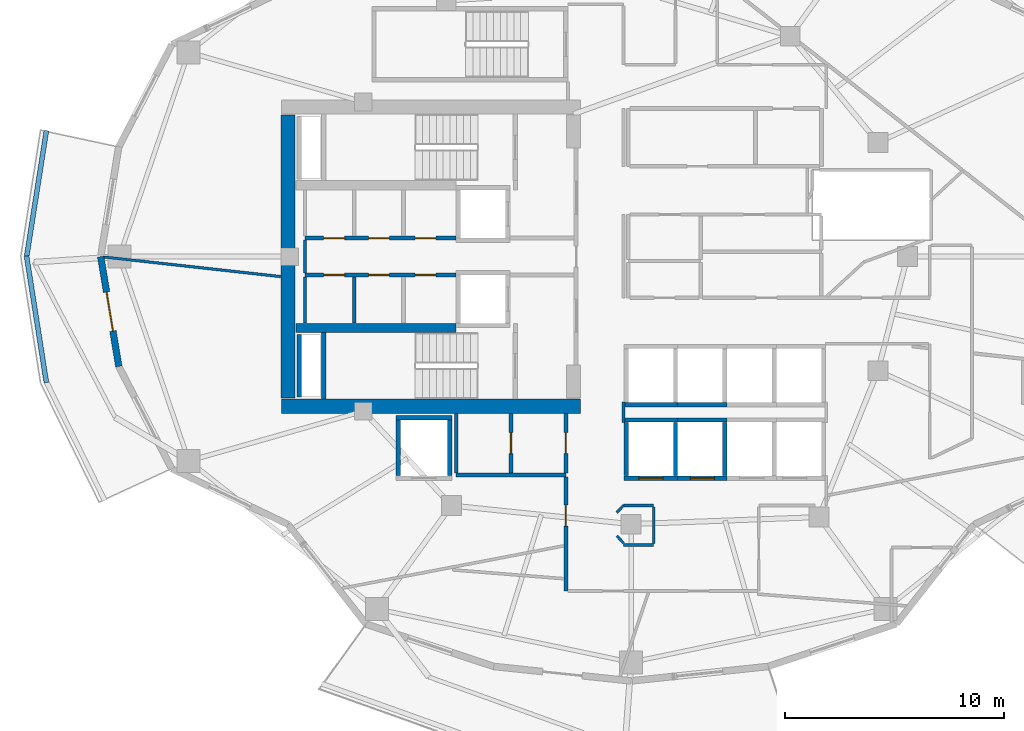
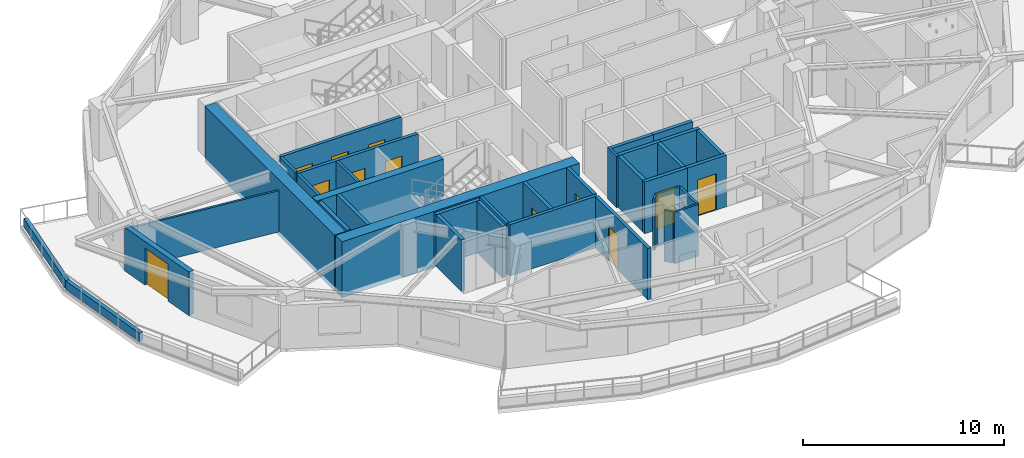
# One storey, part 3 of 14: 37 walls, 12 doors, 12 openings.
"""IFC4 building model written with IfcOpenShell, lengths in metres."""

from ifc_helpers import new_model, si_unit, direction, frame, frame_2d, origin, place, context, subcontext, project, spatial, rectangle, extrude, material, layer, layer_set, type_object, element, fill, save


model = new_model("IFC4")

# Units and contexts
model_context = context("Model", 3, precision=1e-05, world=origin(), true_north=direction((0.0, 1.0)))
body_context = subcontext(model_context, "Body", "Model", "MODEL_VIEW")
ifc_project = project(units=[si_unit("LENGTHUNIT", "METRE"), si_unit("AREAUNIT", "SQUARE_METRE"), si_unit("VOLUMEUNIT", "CUBIC_METRE"), si_unit("PLANEANGLEUNIT", "RADIAN"), si_unit("MASSUNIT", "GRAM", prefix="KILO")], contexts=[model_context])

# Site, building, storey
site_placement = place(None, origin())
site = spatial("IfcSite", under=ifc_project, at=site_placement, CompositionType="ELEMENT")
building_placement = place(site_placement, origin())
building = spatial("IfcBuilding", under=site, at=building_placement, Name="Kolvaren Gate Tower and Convention Centre", CompositionType="ELEMENT")
storey_placement = place(building_placement, frame((0.0, 0.0, 112.10009765625)))
storey = spatial("IfcBuildingStorey", under=building, at=storey_placement, Name="L27", CompositionType="ELEMENT", Elevation=112.10009765625)

# Wall, openings, doors
ifc_material_1 = material(Name="Autoclaved Aerated Masonry Blockwork Class 4 (4.0 MPa)", Category="masonry")
ifc_layer_1 = layer(ifc_material_1, 0.179931640625)
ifc_layer_set_1 = layer_set([ifc_layer_1], Name="Autoclaved Aerated Masonry Blockwork Class 4 (4.0 MPa)")
wall_type_1 = type_object("IfcWallType", Name="ARCH-WL-COMP-180", PredefinedType="SOLIDWALL", material=ifc_layer_set_1)
wall_1_placement = place(storey_placement, frame((15.25, 27.840087890625, 0.0), z_axis=(0.0, 0.0, 1.0), x_axis=(1.0, 0.0, 0.0)))
wall_1 = element("IfcWall", 1, at=wall_1_placement, inside=storey, type_object=wall_type_1, Name="Interior Partition WL-L27-INT-004", PredefinedType="SOLIDWALL", context=body_context, shape_type="SweptSolid", body=[
    extrude(rectangle(XDim=6.89990234375, YDim=0.179931640625, at=frame_2d((3.449951171875, 0.0))), origin(), (0.0, 0.0, 1.0), 3.1298828125),
])
opening_1_placement = place(wall_1_placement, frame((5.02001953125, 0.0, 0.0)))
opening_1 = element("IfcOpeningElement", 2, at=opening_1_placement, cuts=wall_1, Name="Opening DR-01", PredefinedType="OPENING", context=body_context, shape_type="SweptSolid", body=[
    extrude(rectangle(XDim=0.949951171875, YDim=2.10009765625, at=frame_2d((0.47509765625, 1.050048828125))), frame((0.0, 0.099853515625, 0.0), z_axis=(0.0, -1.0, 0.0), x_axis=(1.0, 0.0, 0.0)), (0.0, 0.0, 1.0), 0.199951171875),
])
opening_2_placement = place(wall_1_placement, frame((0.85498046875, 0.0, 0.0)))
opening_2 = element("IfcOpeningElement", 3, at=opening_2_placement, cuts=wall_1, Name="Opening DR-01", PredefinedType="OPENING", context=body_context, shape_type="SweptSolid", body=[
    extrude(rectangle(XDim=0.949951171875, YDim=2.10009765625, at=frame_2d((0.47509765625, 1.050048828125))), frame((0.0, 0.099853515625, 0.0), z_axis=(0.0, -1.0, 0.0), x_axis=(1.0, 0.0, 0.0)), (0.0, 0.0, 1.0), 0.199951171875),
])
opening_3_placement = place(wall_1_placement, frame((2.89990234375, 0.0, 0.0)))
opening_3 = element("IfcOpeningElement", 4, at=opening_3_placement, cuts=wall_1, Name="Opening DR-01", PredefinedType="OPENING", context=body_context, shape_type="SweptSolid", body=[
    extrude(rectangle(XDim=0.949951171875, YDim=2.10009765625, at=frame_2d((0.47509765625, 1.050048828125))), frame((0.0, 0.099853515625, 0.0), z_axis=(0.0, -1.0, 0.0), x_axis=(1.0, 0.0, 0.0)), (0.0, 0.0, 1.0), 0.199951171875),
])
ifc_material_2 = material(Name="Painted Architectural Steelwork ASTM A500 Grade C 345 MPa", Category="steel")
door_type_1 = type_object("IfcDoorType", Name="ARCH-DR-RISER-950", OperationType="SINGLE_SWING_RIGHT", PredefinedType="DOOR", material=ifc_material_2)
door_1_placement = place(opening_1_placement, origin())
door_1 = element("IfcDoor", 5, at=door_1_placement, inside=storey, type_object=door_type_1, Name="Electrical Switchgear Closet Door", OperationType="SINGLE_SWING_RIGHT", OverallHeight=2.10009765625, OverallWidth=0.949951171875, PredefinedType="DOOR", context=body_context, shape_type="SweptSolid", body=[
    extrude(rectangle(XDim=0.949951171875, YDim=2.10009765625, at=frame_2d((0.47509765625, 1.050048828125))), frame((0.0, 0.02490234375, 0.0), z_axis=(0.0, -1.0, 0.0), x_axis=(1.0, 0.0, 0.0)), (0.0, 0.0, 1.0), 0.050048828125),
])
fill(opening_1, door_1)
door_2_placement = place(opening_2_placement, origin())
door_2 = element("IfcDoor", 6, at=door_2_placement, inside=storey, type_object=door_type_1, Name="Staff Accessible WC Door", OperationType="SINGLE_SWING_RIGHT", OverallHeight=2.10009765625, OverallWidth=0.949951171875, PredefinedType="DOOR", context=body_context, shape_type="SweptSolid", body=[
    extrude(rectangle(XDim=0.949951171875, YDim=2.10009765625, at=frame_2d((0.47509765625, 1.050048828125))), frame((0.0, 0.02490234375, 0.0), z_axis=(0.0, -1.0, 0.0), x_axis=(1.0, 0.0, 0.0)), (0.0, 0.0, 1.0), 0.050048828125),
])
fill(opening_2, door_2)
door_3_placement = place(opening_3_placement, origin())
door_3 = element("IfcDoor", 7, at=door_3_placement, inside=storey, type_object=door_type_1, Name="Housekeeping Sink Closet Door", OperationType="SINGLE_SWING_LEFT", OverallHeight=2.10009765625, OverallWidth=0.949951171875, PredefinedType="DOOR", context=body_context, shape_type="SweptSolid", body=[
    extrude(rectangle(XDim=0.949951171875, YDim=2.10009765625, at=frame_2d((0.47509765625, 1.050048828125))), frame((0.0, 0.02490234375, 0.0), z_axis=(0.0, -1.0, 0.0), x_axis=(1.0, 0.0, 0.0)), (0.0, 0.0, 1.0), 0.050048828125),
])
fill(opening_3, door_3)

wall_2_placement = place(storey_placement, frame((15.25, 26.159912109375, 0.0), z_axis=(0.0, 0.0, 1.0), x_axis=(1.0, 0.0, 0.0)))
wall_2 = element("IfcWall", 8, at=wall_2_placement, inside=storey, type_object=wall_type_1, Name="Interior Partition WL-L27-INT-005", PredefinedType="SOLIDWALL", context=body_context, shape_type="SweptSolid", body=[
    extrude(rectangle(XDim=6.89990234375, YDim=0.179931640625, at=frame_2d((3.449951171875, 0.0))), origin(), (0.0, 0.0, 1.0), 3.1298828125),
])
opening_4_placement = place(wall_2_placement, frame((5.02001953125, 0.0, 0.0)))
opening_4 = element("IfcOpeningElement", 9, at=opening_4_placement, cuts=wall_2, Name="Opening DR-01", PredefinedType="OPENING", context=body_context, shape_type="SweptSolid", body=[
    extrude(rectangle(XDim=0.949951171875, YDim=2.10009765625, at=frame_2d((0.47509765625, 1.050048828125))), frame((0.0, 0.099853515625, 0.0), z_axis=(0.0, -1.0, 0.0), x_axis=(1.0, 0.0, 0.0)), (0.0, 0.0, 1.0), 0.199951171875),
])
opening_5_placement = place(wall_2_placement, frame((0.85498046875, 0.0, 0.0)))
opening_5 = element("IfcOpeningElement", 10, at=opening_5_placement, cuts=wall_2, Name="Opening DR-01", PredefinedType="OPENING", context=body_context, shape_type="SweptSolid", body=[
    extrude(rectangle(XDim=0.949951171875, YDim=2.10009765625, at=frame_2d((0.47509765625, 1.050048828125))), frame((0.0, 0.099853515625, 0.0), z_axis=(0.0, -1.0, 0.0), x_axis=(1.0, 0.0, 0.0)), (0.0, 0.0, 1.0), 0.199951171875),
])
opening_6_placement = place(wall_2_placement, frame((2.89990234375, 0.0, 0.0)))
opening_6 = element("IfcOpeningElement", 11, at=opening_6_placement, cuts=wall_2, Name="Opening DR-01", PredefinedType="OPENING", context=body_context, shape_type="SweptSolid", body=[
    extrude(rectangle(XDim=0.949951171875, YDim=2.10009765625, at=frame_2d((0.47509765625, 1.050048828125))), frame((0.0, 0.099853515625, 0.0), z_axis=(0.0, -1.0, 0.0), x_axis=(1.0, 0.0, 0.0)), (0.0, 0.0, 1.0), 0.199951171875),
])
door_4_placement = place(opening_4_placement, origin())
door_4 = element("IfcDoor", 12, at=door_4_placement, inside=storey, type_object=door_type_1, Name="Domestic Water Meter Closet Door", OperationType="SINGLE_SWING_LEFT", OverallHeight=2.10009765625, OverallWidth=0.949951171875, PredefinedType="DOOR", context=body_context, shape_type="SweptSolid", body=[
    extrude(rectangle(XDim=0.949951171875, YDim=2.10009765625, at=frame_2d((0.47509765625, 1.050048828125))), frame((0.0, 0.02490234375, 0.0), z_axis=(0.0, -1.0, 0.0), x_axis=(1.0, 0.0, 0.0)), (0.0, 0.0, 1.0), 0.050048828125),
])
fill(opening_4, door_4)
door_5_placement = place(opening_5_placement, origin())
door_5 = element("IfcDoor", 13, at=door_5_placement, inside=storey, type_object=door_type_1, Name="Beverage Service Pantry Door", OperationType="SINGLE_SWING_RIGHT", OverallHeight=2.10009765625, OverallWidth=0.949951171875, PredefinedType="DOOR", context=body_context, shape_type="SweptSolid", body=[
    extrude(rectangle(XDim=0.949951171875, YDim=2.10009765625, at=frame_2d((0.47509765625, 1.050048828125))), frame((0.0, 0.02490234375, 0.0), z_axis=(0.0, -1.0, 0.0), x_axis=(1.0, 0.0, 0.0)), (0.0, 0.0, 1.0), 0.050048828125),
])
fill(opening_5, door_5)
door_6_placement = place(opening_6_placement, origin())
door_6 = element("IfcDoor", 14, at=door_6_placement, inside=storey, type_object=door_type_1, Name="Archive Supply Closet Door", OperationType="SINGLE_SWING_LEFT", OverallHeight=2.10009765625, OverallWidth=0.949951171875, PredefinedType="DOOR", context=body_context, shape_type="SweptSolid", body=[
    extrude(rectangle(XDim=0.949951171875, YDim=2.10009765625, at=frame_2d((0.47509765625, 1.050048828125))), frame((0.0, 0.02490234375, 0.0), z_axis=(0.0, -1.0, 0.0), x_axis=(1.0, 0.0, 0.0)), (0.0, 0.0, 1.0), 0.050048828125),
])
fill(opening_6, door_6)

# Wall
wall_3_placement = place(storey_placement, frame((22.14990234375, 17.050048828125, 0.0), z_axis=(0.0, 0.0, 1.0), x_axis=(1.0, 0.0, 0.0)))
element("IfcWall", 15, at=wall_3_placement, inside=storey, type_object=wall_type_1, Name="Interior Partition WL-L27-INT-011", PredefinedType="SOLIDWALL", context=body_context, shape_type="SweptSolid", body=[
    extrude(rectangle(XDim=5.0, YDim=0.179931640625, at=frame_2d((2.5, 0.0))), origin(), (0.0, 0.0, 1.0), 3.1298828125),
])

# Wall, opening, door
wall_4_placement = place(storey_placement, frame((24.64990234375, 17.14208984375, 0.0), z_axis=(0.0, 0.0, 1.0), x_axis=(0.0, 1.0, 0.0)))
wall_4 = element("IfcWall", 16, at=wall_4_placement, inside=storey, type_object=wall_type_1, Name="Interior Partition WL-L27-INT-013", PredefinedType="SOLIDWALL", context=body_context, shape_type="SweptSolid", body=[
    extrude(rectangle(XDim=2.705810546875, YDim=0.179931640625, at=frame_2d((1.35302734375, 0.0))), origin(), (0.0, 0.0, 1.0), 3.1298828125),
])
opening_7_placement = place(wall_4_placement, frame((0.8779296875, 0.0, 0.0)))
opening_7 = element("IfcOpeningElement", 17, at=opening_7_placement, cuts=wall_4, Name="Opening DR-01", PredefinedType="OPENING", context=body_context, shape_type="SweptSolid", body=[
    extrude(rectangle(XDim=0.949951171875, YDim=2.10009765625, at=frame_2d((0.47509765625, 1.050048828125))), frame((0.0, 0.099853515625, 0.0), z_axis=(0.0, -1.0, 0.0), x_axis=(1.0, 0.0, 0.0)), (0.0, 0.0, 1.0), 0.199951171875),
])
door_7_placement = place(opening_7_placement, origin())
door_7 = element("IfcDoor", 18, at=door_7_placement, inside=storey, type_object=door_type_1, Name="West Valet Store Door", OperationType="SINGLE_SWING_LEFT", OverallHeight=2.10009765625, OverallWidth=0.949951171875, PredefinedType="DOOR", context=body_context, shape_type="SweptSolid", body=[
    extrude(rectangle(XDim=0.949951171875, YDim=2.10009765625, at=frame_2d((0.47509765625, 1.050048828125))), frame((0.0, 0.02490234375, 0.0), z_axis=(0.0, -1.0, 0.0), x_axis=(1.0, 0.0, 0.0)), (0.0, 0.0, 1.0), 0.050048828125),
])
fill(opening_7, door_7)

wall_5_placement = place(storey_placement, frame((27.14990234375, 11.75, 0.0), z_axis=(0.0, 0.0, 1.0), x_axis=(0.0, 1.0, 0.0)))
wall_5 = element("IfcWall", 19, at=wall_5_placement, inside=storey, type_object=wall_type_1, Name="Interior Partition WL-L27-INT-014", PredefinedType="SOLIDWALL", context=body_context, shape_type="SweptSolid", body=[
    extrude(rectangle(XDim=5.2080078125, YDim=0.179931640625, at=frame_2d((2.60400390625, 0.0))), origin(), (0.0, 0.0, 1.0), 3.1298828125),
])
opening_8_placement = place(wall_5_placement, frame((2.961181640625, 0.0, 0.0)))
opening_8 = element("IfcOpeningElement", 20, at=opening_8_placement, cuts=wall_5, Name="Opening DR-01", PredefinedType="OPENING", context=body_context, shape_type="SweptSolid", body=[
    extrude(rectangle(XDim=0.949951171875, YDim=2.10009765625, at=frame_2d((0.47509765625, 1.050048828125))), frame((0.0, 0.099853515625, 0.0), z_axis=(0.0, -1.0, 0.0), x_axis=(1.0, 0.0, 0.0)), (0.0, 0.0, 1.0), 0.199951171875),
])
door_8_placement = place(opening_8_placement, origin())
door_8 = element("IfcDoor", 21, at=door_8_placement, inside=storey, type_object=door_type_1, Name="Hotel Executive Business Office Door", OperationType="SINGLE_SWING_LEFT", OverallHeight=2.10009765625, OverallWidth=0.949951171875, PredefinedType="DOOR", context=body_context, shape_type="SweptSolid", body=[
    extrude(rectangle(XDim=0.949951171875, YDim=2.10009765625, at=frame_2d((0.47509765625, 1.050048828125))), frame((0.0, 0.02490234375, 0.0), z_axis=(0.0, -1.0, 0.0), x_axis=(1.0, 0.0, 0.0)), (0.0, 0.0, 1.0), 0.050048828125),
])
fill(opening_8, door_8)

wall_6_placement = place(storey_placement, frame((27.14990234375, 17.14208984375, 0.0), z_axis=(0.0, 0.0, 1.0), x_axis=(0.0, 1.0, 0.0)))
wall_6 = element("IfcWall", 22, at=wall_6_placement, inside=storey, type_object=wall_type_1, Name="Interior Partition WL-L27-INT-014 (2)", PredefinedType="SOLIDWALL", context=body_context, shape_type="SweptSolid", body=[
    extrude(rectangle(XDim=2.705810546875, YDim=0.179931640625, at=frame_2d((1.35302734375, 0.0))), origin(), (0.0, 0.0, 1.0), 3.1298828125),
])
opening_9_placement = place(wall_6_placement, frame((0.8779296875, 0.0, 0.0)))
opening_9 = element("IfcOpeningElement", 23, at=opening_9_placement, cuts=wall_6, Name="Opening DR-01", PredefinedType="OPENING", context=body_context, shape_type="SweptSolid", body=[
    extrude(rectangle(XDim=0.949951171875, YDim=2.10009765625, at=frame_2d((0.47509765625, 1.050048828125))), frame((0.0, 0.099853515625, 0.0), z_axis=(0.0, -1.0, 0.0), x_axis=(1.0, 0.0, 0.0)), (0.0, 0.0, 1.0), 0.199951171875),
])
door_9_placement = place(opening_9_placement, origin())
door_9 = element("IfcDoor", 24, at=door_9_placement, inside=storey, type_object=door_type_1, Name="Metering Switch Room Door", OperationType="SINGLE_SWING_RIGHT", OverallHeight=2.10009765625, OverallWidth=0.949951171875, PredefinedType="DOOR", context=body_context, shape_type="SweptSolid", body=[
    extrude(rectangle(XDim=0.949951171875, YDim=2.10009765625, at=frame_2d((0.47509765625, 1.050048828125))), frame((0.0, 0.02490234375, 0.0), z_axis=(0.0, -1.0, 0.0), x_axis=(1.0, 0.0, 0.0)), (0.0, 0.0, 1.0), 0.050048828125),
])
fill(opening_9, door_9)

# Walls
ifc_material_3 = material(Name="Fire-Rated Acoustic Gypsum Stud Partition", Category="gypsum")
ifc_layer_2 = layer(ifc_material_3, 0.1201171875)
ifc_layer_set_2 = layer_set([ifc_layer_2], Name="Fire-Rated Acoustic Gypsum Stud Partition")
wall_type_2 = type_object("IfcWallType", Name="ARCH-WL-PART-120", PredefinedType="PARTITIONING", material=ifc_layer_set_2)
wall_7_placement = place(storey_placement, frame((29.780029296875, 15.64990234375, 0.0), z_axis=(0.0, 0.0, 1.0), x_axis=(1.0, 0.0, 0.0)))
element("IfcWall", 25, at=wall_7_placement, inside=storey, type_object=wall_type_2, Name="Interior Partition WL-L27-INT-029", PredefinedType="PARTITIONING", context=body_context, shape_type="SweptSolid", body=[
    extrude(rectangle(XDim=1.369873046875, YDim=0.1201171875, at=frame_2d((0.68505859375, 0.0))), origin(), (0.0, 0.0, 1.0), 3.1298828125),
])
wall_8_placement = place(storey_placement, frame((29.780029296875, 19.43994140625, 0.0), z_axis=(0.0, 0.0, 1.0), x_axis=(0.0, 1.0, 0.0)))
element("IfcWall", 26, at=wall_8_placement, inside=storey, type_object=wall_type_2, Name="Interior Partition WL-L27-INT-035", PredefinedType="PARTITIONING", context=body_context, shape_type="SweptSolid", body=[
    extrude(rectangle(XDim=0.920166015625, YDim=0.1201171875, at=frame_2d((0.4599609375, 0.0))), origin(), (0.0, 0.0, 1.0), 3.1298828125),
])
wall_9_placement = place(storey_placement, frame((29.47607421875, 15.3330078125, 0.0), z_axis=(0.0, 0.0, 1.0), x_axis=(0.692219273951, 0.721687243043, 0.0)))
element("IfcWall", 27, at=wall_9_placement, inside=storey, type_object=wall_type_2, Name="Interior Partition WL-L27-INT-051", PredefinedType="PARTITIONING", context=body_context, shape_type="SweptSolid", body=[
    extrude(rectangle(XDim=0.439208984375, YDim=0.1201171875, at=frame_2d((0.2197265625, 0.0))), origin(), (0.0, 0.0, 1.0), 3.1298828125),
])
wall_10_placement = place(storey_placement, frame((29.47607421875, 14.26708984375, 0.0), z_axis=(0.0, 0.0, 1.0), x_axis=(0.670659392016, -0.741765448037, 0.0)))
element("IfcWall", 28, at=wall_10_placement, inside=storey, type_object=wall_type_2, Name="Interior Partition WL-L27-INT-052", PredefinedType="PARTITIONING", context=body_context, shape_type="SweptSolid", body=[
    extrude(rectangle(XDim=0.453125, YDim=0.1201171875, at=frame_2d((0.2265625, 0.0))), origin(), (0.0, 0.0, 1.0), 3.1298828125),
])
wall_11_placement = place(storey_placement, frame((29.780029296875, 13.85009765625, 0.0), z_axis=(0.0, 0.0, 1.0), x_axis=(1.0, 0.0, 0.0)))
element("IfcWall", 29, at=wall_11_placement, inside=storey, type_object=wall_type_2, Name="Interior Partition WL-L27-INT-053", PredefinedType="PARTITIONING", context=body_context, shape_type="SweptSolid", body=[
    extrude(rectangle(XDim=1.369873046875, YDim=0.1201171875, at=frame_2d((0.68505859375, 0.0))), origin(), (0.0, 0.0, 1.0), 3.1298828125),
])
wall_12_placement = place(storey_placement, frame((31.14990234375, 13.912109375, 0.0), z_axis=(0.0, 0.0, 1.0), x_axis=(0.0, 1.0, 0.0)))
element("IfcWall", 30, at=wall_12_placement, inside=storey, type_object=wall_type_2, Name="Interior Partition WL-L27-INT-054", PredefinedType="PARTITIONING", context=body_context, shape_type="SweptSolid", body=[
    extrude(rectangle(XDim=1.67578125, YDim=0.1201171875, at=frame_2d((0.837890625, 0.0))), origin(), (0.0, 0.0, 1.0), 3.1298828125),
])
wall_13_placement = place(storey_placement, frame((6.0947265625, 26.980712890625, 0.0), z_axis=(0.0, 0.0, 1.0), x_axis=(0.993917127708, -0.11013057363, 0.0)))
element("IfcWall", 31, at=wall_13_placement, inside=storey, type_object=wall_type_2, Name="Interior Partition WL-L27-INT-055", PredefinedType="PARTITIONING", context=body_context, shape_type="SweptSolid", body=[
    extrude(rectangle(XDim=8.1025390625, YDim=0.1201171875, at=frame_2d((4.05126953125, 0.0))), origin(), (0.0, 0.0, 1.0), 2.5048828125),
])
ifc_material_4 = material(Name="Piedmont Cream Honed Limestone Cladding", Category="masonry")
ifc_layer_3 = layer(ifc_material_4, 0.219970703125)
ifc_layer_set_3 = layer_set([ifc_layer_3], Name="Piedmont Cream Honed Limestone Cladding")
wall_type_3 = type_object("IfcWallType", Name="ARCH-WL-PLANTER-220", PredefinedType="PARAPET", material=ifc_layer_set_3)
for number, where, z_axis, x_axis, name in (
    (32, (2.555908203125, 26.970703125, 0.0), (0.0, 0.0, 1.0), (0.154903030247, 0.987929679289, 0.0), "Vertical-Forest Balcony Stone Planter Kerb PK-L27-2.1"),
    (33, (2.555908203125, 27.029296875, 0.0), (0.0, 0.0, 1.0), (0.154903030247, -0.987929679289, 0.0), "Vertical-Forest Balcony Stone Planter Kerb PK-L27-2.2"),
):
    element("IfcWall", number, at=place(storey_placement, frame(where, z_axis=z_axis, x_axis=x_axis)), inside=storey, type_object=wall_type_3, Name=name, PredefinedType="PARAPET", context=body_context, shape_type="SweptSolid", body=[
        extrude(rectangle(XDim=5.845703125, YDim=0.219970703125, at=frame_2d((2.9228515625, 0.0))), origin(), (0.0, 0.0, 1.0), 0.52001953125),
    ])
ifc_layer_4 = layer(ifc_material_1, 0.199951171875)
ifc_layer_set_4 = layer_set([ifc_layer_4], Name="Autoclaved Aerated Masonry Blockwork Class 4 (4.0 MPa)")
wall_type_4 = type_object("IfcWallType", Name="ARCH-WL-SHAFT-200", PredefinedType="SOLIDWALL", material=ifc_layer_set_4)
wall_14_placement = place(storey_placement, frame((19.39990234375, 19.64990234375, 0.0), z_axis=(0.0, 0.0, 1.0), x_axis=(1.0, 0.0, 0.0)))
element("IfcWall", 34, at=wall_14_placement, inside=storey, type_object=wall_type_4, Name="Elevator SV-01 L27 Fire Shaft Wall N", PredefinedType="SOLIDWALL", context=body_context, shape_type="SweptSolid", body=[
    extrude(rectangle(XDim=2.550048828125, YDim=0.199951171875, at=frame_2d((1.27490234375, 0.0))), origin(), (0.0, 0.0, 1.0), 3.1298828125),
])
for number, where, z_axis, x_axis, name in (
    (35, (19.5, 17.010009765625, 0.0), (0.0, 0.0, 1.0), (0.0, 1.0, 0.0), "Elevator SV-01 L27 Fire Shaft Wall W"),
    (36, (21.85009765625, 17.010009765625, 0.0), (0.0, 0.0, 1.0), (0.0, 1.0, 0.0), "Elevator SV-01 L27 Fire Shaft Wall E"),
):
    element("IfcWall", number, at=place(storey_placement, frame(where, z_axis=z_axis, x_axis=x_axis)), inside=storey, type_object=wall_type_4, Name=name, PredefinedType="SOLIDWALL", context=body_context, shape_type="SweptSolid", body=[
        extrude(rectangle(XDim=2.530029296875, YDim=0.199951171875, at=frame_2d((1.26513671875, 0.0))), origin(), (0.0, 0.0, 1.0), 3.1298828125),
    ])
wall_15_placement = place(storey_placement, frame((29.800048828125, 19.550048828125, 0.0), z_axis=(0.0, 0.0, 1.0), x_axis=(1.0, 0.0, 0.0)))
element("IfcWall", 37, at=wall_15_placement, inside=storey, type_object=wall_type_4, Name="Elevator PL-05 L27 Fire Shaft Wall N", PredefinedType="SOLIDWALL", context=body_context, shape_type="SweptSolid", body=[
    extrude(rectangle(XDim=2.449951171875, YDim=0.199951171875, at=frame_2d((1.22509765625, 0.0))), origin(), (0.0, 0.0, 1.0), 3.1298828125),
])

# Wall, opening, door
wall_16_placement = place(storey_placement, frame((29.800048828125, 16.89990234375, 0.0), z_axis=(0.0, 0.0, 1.0), x_axis=(1.0, 0.0, 0.0)))
wall_16 = element("IfcWall", 38, at=wall_16_placement, inside=storey, type_object=wall_type_4, Name="Elevator PL-05 L27 Fire Shaft Wall S", PredefinedType="SOLIDWALL", context=body_context, shape_type="SweptSolid", body=[
    extrude(rectangle(XDim=2.449951171875, YDim=0.199951171875, at=frame_2d((1.22509765625, 0.0))), origin(), (0.0, 0.0, 1.0), 3.1298828125),
])
opening_10_placement = place(wall_16_placement, frame((0.675048828125, 0.0, 0.0)))
opening_10 = element("IfcOpeningElement", 39, at=opening_10_placement, cuts=wall_16, Name="Opening LD", PredefinedType="OPENING", context=body_context, shape_type="SweptSolid", body=[
    extrude(rectangle(XDim=1.10009765625, YDim=2.199951171875, at=frame_2d((0.550048828125, 1.10009765625))), frame((0.0, 0.10986328125, 0.0), z_axis=(0.0, -1.0, 0.0), x_axis=(1.0, 0.0, 0.0)), (0.0, 0.0, 1.0), 0.219970703125),
])
ifc_material_5 = material(Name="Brushed Stainless Steel Grade 316L", Category="steel")
door_type_2 = type_object("IfcDoorType", Name="ARCH-DR-LIFT-1100", OperationType="SLIDING_TO_LEFT", PredefinedType="DOOR", material=ifc_material_5)
door_10_placement = place(opening_10_placement, origin())
door_10 = element("IfcDoor", 40, at=door_10_placement, inside=storey, type_object=door_type_2, Name="Elevator PL-05 L27 Sliding Landing Door", OperationType="SLIDING_TO_LEFT", OverallHeight=2.199951171875, OverallWidth=1.10009765625, PredefinedType="DOOR", context=body_context, shape_type="SweptSolid", body=[
    extrude(rectangle(XDim=1.10009765625, YDim=2.199951171875, at=frame_2d((0.550048828125, 1.10009765625))), frame((0.0, 0.02490234375, 0.0), z_axis=(0.0, -1.0, 0.0), x_axis=(1.0, 0.0, 0.0)), (0.0, 0.0, 1.0), 0.050048828125),
])
fill(opening_10, door_10)

# Walls
for number, where, z_axis, x_axis, name in (
    (41, (29.89990234375, 17.010009765625, 0.0), (0.0, 0.0, 1.0), (0.0, 1.0, 0.0), "Elevator PL-05 L27 Fire Shaft Wall W"),
    (42, (32.14990234375, 17.010009765625, 0.0), (0.0, 0.0, 1.0), (0.0, 1.0, 0.0), "Elevator PL-05 L27 Fire Shaft Wall E"),
):
    element("IfcWall", number, at=place(storey_placement, frame(where, z_axis=z_axis, x_axis=x_axis)), inside=storey, type_object=wall_type_4, Name=name, PredefinedType="SOLIDWALL", context=body_context, shape_type="SweptSolid", body=[
        extrude(rectangle(XDim=2.429931640625, YDim=0.199951171875, at=frame_2d((1.21484375, 0.0))), origin(), (0.0, 0.0, 1.0), 3.1298828125),
    ])
wall_17_placement = place(storey_placement, frame((32.25, 19.550048828125, 0.0), z_axis=(0.0, 0.0, 1.0), x_axis=(1.0, 0.0, 0.0)))
element("IfcWall", 43, at=wall_17_placement, inside=storey, type_object=wall_type_4, Name="Elevator PL-06 L27 Fire Shaft Wall N", PredefinedType="SOLIDWALL", context=body_context, shape_type="SweptSolid", body=[
    extrude(rectangle(XDim=2.25, YDim=0.199951171875, at=frame_2d((1.125, 0.0))), origin(), (0.0, 0.0, 1.0), 3.1298828125),
])

# Wall, opening, door
wall_18_placement = place(storey_placement, frame((32.25, 16.89990234375, 0.0), z_axis=(0.0, 0.0, 1.0), x_axis=(1.0, 0.0, 0.0)))
wall_18 = element("IfcWall", 44, at=wall_18_placement, inside=storey, type_object=wall_type_4, Name="Elevator PL-06 L27 Fire Shaft Wall S", PredefinedType="SOLIDWALL", context=body_context, shape_type="SweptSolid", body=[
    extrude(rectangle(XDim=2.25, YDim=0.199951171875, at=frame_2d((1.125, 0.0))), origin(), (0.0, 0.0, 1.0), 3.1298828125),
])
opening_11_placement = place(wall_18_placement, frame((0.574951171875, 0.0, 0.0)))
opening_11 = element("IfcOpeningElement", 45, at=opening_11_placement, cuts=wall_18, Name="Opening LD", PredefinedType="OPENING", context=body_context, shape_type="SweptSolid", body=[
    extrude(rectangle(XDim=1.10009765625, YDim=2.199951171875, at=frame_2d((0.550048828125, 1.10009765625))), frame((0.0, 0.10986328125, 0.0), z_axis=(0.0, -1.0, 0.0), x_axis=(1.0, 0.0, 0.0)), (0.0, 0.0, 1.0), 0.219970703125),
])
door_11_placement = place(opening_11_placement, origin())
door_11 = element("IfcDoor", 46, at=door_11_placement, inside=storey, type_object=door_type_2, Name="Elevator PL-06 L27 Sliding Landing Door", OperationType="SLIDING_TO_LEFT", OverallHeight=2.199951171875, OverallWidth=1.10009765625, PredefinedType="DOOR", context=body_context, shape_type="SweptSolid", body=[
    extrude(rectangle(XDim=1.10009765625, YDim=2.199951171875, at=frame_2d((0.550048828125, 1.10009765625))), frame((0.0, 0.02490234375, 0.0), z_axis=(0.0, -1.0, 0.0), x_axis=(1.0, 0.0, 0.0)), (0.0, 0.0, 1.0), 0.050048828125),
])
fill(opening_11, door_11)

# Walls
wall_19_placement = place(storey_placement, frame((34.39990234375, 17.010009765625, 0.0), z_axis=(0.0, 0.0, 1.0), x_axis=(0.0, 1.0, 0.0)))
element("IfcWall", 47, at=wall_19_placement, inside=storey, type_object=wall_type_4, Name="Elevator PL-06 L27 Fire Shaft Wall E", PredefinedType="SOLIDWALL", context=body_context, shape_type="SweptSolid", body=[
    extrude(rectangle(XDim=2.429931640625, YDim=0.199951171875, at=frame_2d((1.21484375, 0.0))), origin(), (0.0, 0.0, 1.0), 3.1298828125),
])
wall_20_placement = place(storey_placement, frame((29.800048828125, 20.25, 0.0), z_axis=(0.0, 0.0, 1.0), x_axis=(1.0, 0.0, 0.0)))
element("IfcWall", 48, at=wall_20_placement, inside=storey, type_object=wall_type_4, Name="Elevator PL-09 L27 Fire Shaft Wall S", PredefinedType="SOLIDWALL", context=body_context, shape_type="SweptSolid", body=[
    extrude(rectangle(XDim=2.449951171875, YDim=0.199951171875, at=frame_2d((1.22509765625, 0.0))), origin(), (0.0, 0.0, 1.0), 3.1298828125),
])
wall_21_placement = place(storey_placement, frame((32.25, 20.25, 0.0), z_axis=(0.0, 0.0, 1.0), x_axis=(1.0, 0.0, 0.0)))
element("IfcWall", 49, at=wall_21_placement, inside=storey, type_object=wall_type_4, Name="Elevator PL-10 L27 Fire Shaft Wall S", PredefinedType="SOLIDWALL", context=body_context, shape_type="SweptSolid", body=[
    extrude(rectangle(XDim=2.25, YDim=0.199951171875, at=frame_2d((1.125, 0.0))), origin(), (0.0, 0.0, 1.0), 3.1298828125),
])
wall_22_placement = place(storey_placement, frame((14.989990234375, 20.60009765625, 0.0), z_axis=(0.0, 0.0, 1.0), x_axis=(0.0, 1.0, 0.0)))
element("IfcWall", 50, at=wall_22_placement, inside=storey, type_object=wall_type_4, Name="Vertical Shaft MPR L27 EI-120 Enclosure Wall W", PredefinedType="SOLIDWALL", context=body_context, shape_type="SweptSolid", body=[
    extrude(rectangle(XDim=2.849853515625, YDim=0.199951171875, at=frame_2d((1.4248046875, 0.0))), origin(), (0.0, 0.0, 1.0), 3.1298828125),
])

# Wall, opening, door
ifc_layer_5 = layer(ifc_material_4, 0.300048828125)
ifc_layer_set_5 = layer_set([ifc_layer_5], Name="Piedmont Cream Honed Limestone Cladding")
wall_type_5 = type_object("IfcWallType", Name="ARCH-WL-STONE-300", PredefinedType="SOLIDWALL", material=ifc_layer_set_5)
wall_23_placement = place(storey_placement, frame((5.9375, 27.0, 0.0), z_axis=(0.0, 0.0, 1.0), x_axis=(0.162393944769, -0.986726003864, 0.0)))
wall_23 = element("IfcWall", 51, at=wall_23_placement, inside=storey, type_object=wall_type_5, Name="Tower L27 Honed Stone Spandrel Wall EW-12", PredefinedType="SOLIDWALL", context=body_context, shape_type="SweptSolid", body=[
    extrude(rectangle(XDim=5.075439453125, YDim=0.300048828125, at=frame_2d((2.53759765625, 0.0))), origin(), (0.0, 0.0, 1.0), 2.65283203125),
])
opening_12_placement = place(wall_23_placement, frame((1.637939453125, 0.0, 0.0)))
opening_12 = element("IfcOpeningElement", 52, at=opening_12_placement, cuts=wall_23, Name="Opening DB-01", PredefinedType="OPENING", context=body_context, shape_type="SweptSolid", body=[
    extrude(rectangle(XDim=1.800048828125, YDim=2.25, at=frame_2d((0.89990234375, 1.125))), frame((0.0, 0.159912109375, 0.0), z_axis=(0.0, -1.0, 0.0), x_axis=(1.0, 0.0, 0.0)), (0.0, 0.0, 1.0), 0.320068359375),
])
ifc_material_6 = material(Name="Anodized Architectural Aluminium Alloy 6063-T6", Category="aluminium")
door_type_3 = type_object("IfcDoorType", Name="ARCH-DR-BALC-1800", OperationType="SLIDING_TO_LEFT", PredefinedType="DOOR", material=ifc_material_6)
door_12_placement = place(opening_12_placement, frame((1.800048828125, 0.0, 0.0), z_axis=(0.0, 0.0, 1.0), x_axis=(-1.0, 0.0, 0.0)))
door_12 = element("IfcDoor", 53, at=door_12_placement, inside=storey, type_object=door_type_3, Name="Planted Sky Terrace Access Door DB-L27-12", OperationType="SLIDING_TO_LEFT", OverallHeight=2.25, OverallWidth=1.800048828125, PredefinedType="DOOR", context=body_context, shape_type="SweptSolid", body=[
    extrude(rectangle(XDim=1.800048828125, YDim=2.25, at=frame_2d((0.89990234375, 1.125))), frame((0.0, 0.02490234375, 0.0), z_axis=(0.0, -1.0, 0.0), x_axis=(1.0, 0.0, 0.0)), (0.0, 0.0, 1.0), 0.050048828125),
])
fill(opening_12, door_12)

# Walls
ifc_material_7 = material(Name="Moisture-Resistant Cement-Board Acoustic Partition", Category="gypsum")
ifc_layer_6 = layer(ifc_material_7, 0.14990234375)
ifc_layer_set_6 = layer_set([ifc_layer_6], Name="Moisture-Resistant Cement-Board Acoustic Partition")
wall_type_6 = type_object("IfcWallType", Name="ARCH-WL-WET-150", PredefinedType="PARTITIONING", material=ifc_layer_set_6)
wall_24_placement = place(storey_placement, frame((15.25, 23.9619140625, 0.0), z_axis=(0.0, 0.0, 1.0), x_axis=(0.0, 1.0, 0.0)))
element("IfcWall", 54, at=wall_24_placement, inside=storey, type_object=wall_type_6, Name="Interior Partition WL-L27-INT-006", PredefinedType="PARTITIONING", context=body_context, shape_type="SweptSolid", body=[
    extrude(rectangle(XDim=2.106201171875, YDim=0.14990234375, at=frame_2d((1.05322265625, 0.0))), origin(), (0.0, 0.0, 1.0), 3.1298828125),
])
wall_25_placement = place(storey_placement, frame((15.25, 26.251953125, 0.0), z_axis=(0.0, 0.0, 1.0), x_axis=(0.0, 1.0, 0.0)))
element("IfcWall", 55, at=wall_25_placement, inside=storey, type_object=wall_type_6, Name="Interior Partition WL-L27-INT-006 (2)", PredefinedType="PARTITIONING", context=body_context, shape_type="SweptSolid", body=[
    extrude(rectangle(XDim=1.49609375, YDim=0.14990234375, at=frame_2d((0.748046875, 0.0))), origin(), (0.0, 0.0, 1.0), 3.1298828125),
])
wall_26_placement = place(storey_placement, frame((17.5, 23.9619140625, 0.0), z_axis=(0.0, 0.0, 1.0), x_axis=(0.0, 1.0, 0.0)))
element("IfcWall", 56, at=wall_26_placement, inside=storey, type_object=wall_type_6, Name="Interior Partition WL-L27-INT-009", PredefinedType="PARTITIONING", context=body_context, shape_type="SweptSolid", body=[
    extrude(rectangle(XDim=2.106201171875, YDim=0.14990234375, at=frame_2d((1.05322265625, 0.0))), origin(), (0.0, 0.0, 1.0), 3.1298828125),
])
wall_27_placement = place(storey_placement, frame((22.14990234375, 17.14208984375, 0.0), z_axis=(0.0, 0.0, 1.0), x_axis=(0.0, 1.0, 0.0)))
element("IfcWall", 57, at=wall_27_placement, inside=storey, type_object=wall_type_6, Name="Interior Partition WL-L27-INT-012", PredefinedType="PARTITIONING", context=body_context, shape_type="SweptSolid", body=[
    extrude(rectangle(XDim=2.705810546875, YDim=0.14990234375, at=frame_2d((1.35302734375, 0.0))), origin(), (0.0, 0.0, 1.0), 3.1298828125),
])
ifc_material_8 = material(Name="Concrete C50/60", Category="concrete")
ifc_layer_7 = layer(ifc_material_8, 0.419921875)
ifc_layer_set_7 = layer_set([ifc_layer_7], Name="Concrete C50/60")
wall_type_7 = type_object("IfcWallType", Name="STR-WL-CONV-420", PredefinedType="SHEAR", material=ifc_layer_set_7)
wall_28_placement = place(storey_placement, frame((14.85009765625, 23.75, -0.27001953125), z_axis=(0.0, 0.0, 1.0), x_axis=(1.0, 0.0, 0.0)))
element("IfcWall", 58, at=wall_28_placement, inside=storey, type_object=wall_type_7, Name="Tower L27 Offset Core Shear Wall WS", PredefinedType="SHEAR", context=body_context, shape_type="SweptSolid", body=[
    extrude(rectangle(XDim=7.2998046875, YDim=0.419921875, at=frame_2d((3.64990234375, 0.0))), origin(), (0.0, 0.0, 1.0), 3.39990234375),
])
ifc_material_9 = material(Name="Concrete C60/75", Category="concrete")
ifc_layer_8 = layer(ifc_material_9, 0.64990234375)
ifc_layer_set_8 = layer_set([ifc_layer_8], Name="Concrete C60/75")
wall_type_8 = type_object("IfcWallType", Name="STR-WL-CORE-650", PredefinedType="SHEAR", material=ifc_layer_set_8)
wall_29_placement = place(storey_placement, frame((14.175048828125, 20.175048828125, -0.27001953125), z_axis=(0.0, 0.0, 1.0), x_axis=(1.0, 0.0, 0.0)))
element("IfcWall", 59, at=wall_29_placement, inside=storey, type_object=wall_type_8, Name="Tower L27 Offset Core Shear Wall S", PredefinedType="SHEAR", context=body_context, shape_type="SweptSolid", body=[
    extrude(rectangle(XDim=13.64990234375, YDim=0.64990234375, at=frame_2d((6.824951171875, 0.0))), origin(), (0.0, 0.0, 1.0), 3.39990234375),
])
wall_30_placement = place(storey_placement, frame((14.47509765625, 20.550048828125, -0.27001953125), z_axis=(0.0, 0.0, 1.0), x_axis=(0.0, 1.0, 0.0)))
element("IfcWall", 60, at=wall_30_placement, inside=storey, type_object=wall_type_8, Name="Tower L27 Offset Core Shear Wall W", PredefinedType="SHEAR", context=body_context, shape_type="SweptSolid", body=[
    extrude(rectangle(XDim=12.89990234375, YDim=0.64990234375, at=frame_2d((6.449951171875, 0.0))), origin(), (0.0, 0.0, 1.0), 3.39990234375),
])
ifc_layer_9 = layer(ifc_material_8, 0.199951171875)
ifc_layer_set_9 = layer_set([ifc_layer_9], Name="Concrete C50/60")
wall_type_9 = type_object("IfcWallType", Name="STR-WL-SHAFT-200", PredefinedType="SHEAR", material=ifc_layer_set_9)
wall_31_placement = place(storey_placement, frame((16.10009765625, 20.501953125, -0.27001953125), z_axis=(0.0, 0.0, 1.0), x_axis=(0.0, 1.0, 0.0)))
element("IfcWall", 61, at=wall_31_placement, inside=storey, type_object=wall_type_9, Name="Tower South Exit Stair ST-T2 L27 Structural Shear Enclosure Wall FAR", PredefinedType="SHEAR", context=body_context, shape_type="SweptSolid", body=[
    extrude(rectangle(XDim=3.0361328125, YDim=0.199951171875, at=frame_2d((1.51806640625, 0.0))), origin(), (0.0, 0.0, 1.0), 3.39990234375),
])

save(model, "model.ifc")
